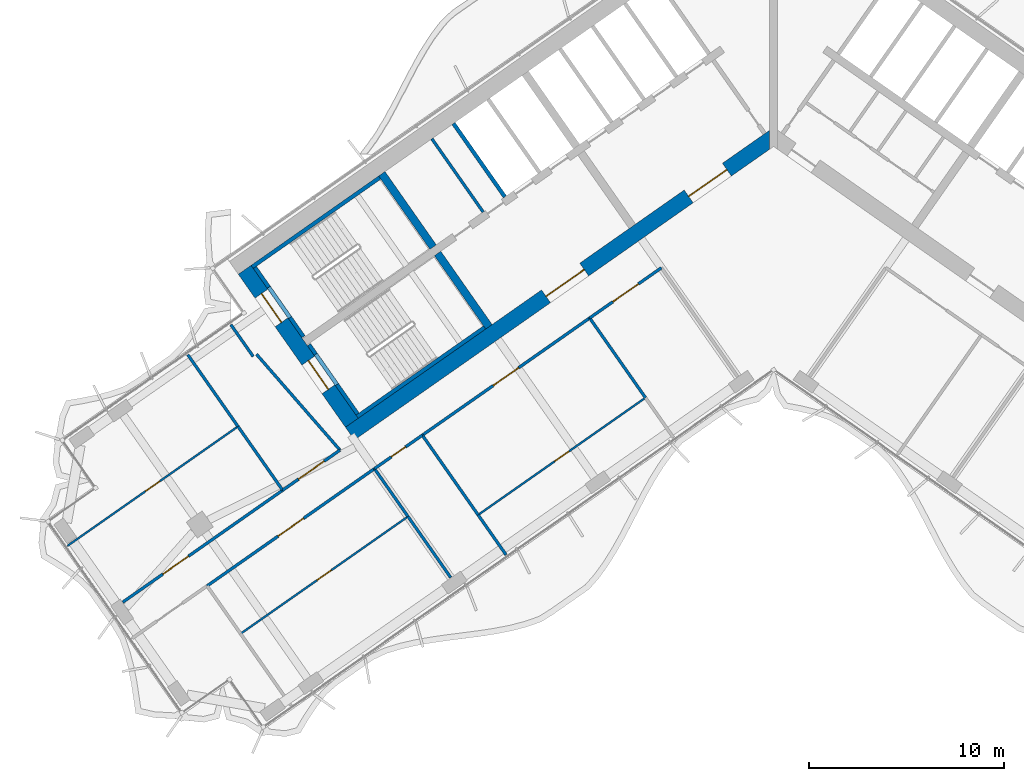
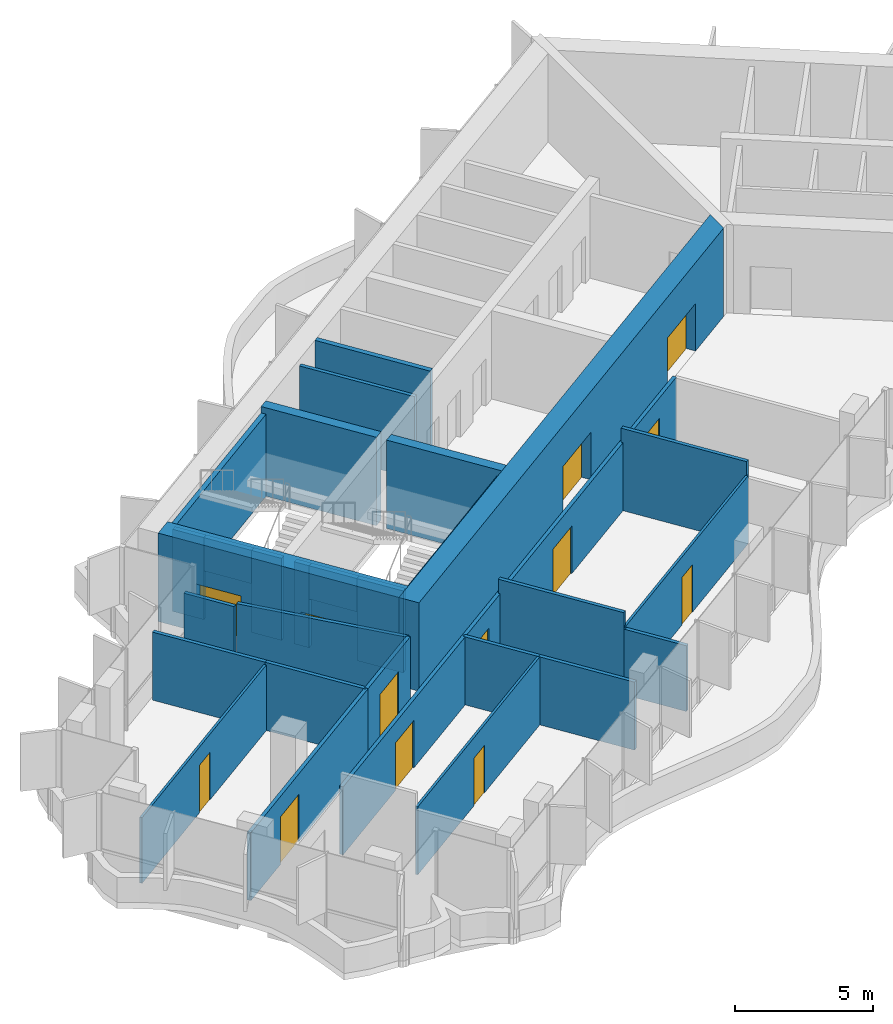
# One storey, part 14 of 23: 32 walls, 13 doors, 13 openings.
"""IFC4 building model written with IfcOpenShell, lengths in metres."""

from ifc_helpers import new_model, si_unit, direction, frame, frame_2d, origin, place, context, subcontext, project, spatial, polyline, rectangle, outline, extrude, material, layer, layer_set, type_object, element, fill, save


model = new_model("IFC4")

# Units and contexts
model_context = context("Model", 3, precision=1e-05, world=origin(), true_north=direction((0.0, 1.0)))
body_context = subcontext(model_context, "Body", "Model", "MODEL_VIEW")
ifc_project = project(units=[si_unit("LENGTHUNIT", "METRE"), si_unit("AREAUNIT", "SQUARE_METRE"), si_unit("VOLUMEUNIT", "CUBIC_METRE"), si_unit("PLANEANGLEUNIT", "RADIAN"), si_unit("MASSUNIT", "GRAM", prefix="KILO")], contexts=[model_context])

# Site, building, storey
site_placement = place(None, origin())
site = spatial("IfcSite", under=ifc_project, at=site_placement, CompositionType="ELEMENT")
building_placement = place(site_placement, origin())
building = spatial("IfcBuilding", under=site, at=building_placement, Name="Tel Ilan Convention Tower", CompositionType="ELEMENT")
storey_placement = place(building_placement, frame((0.0, 0.0, 186.60009765625)))
storey = spatial("IfcBuildingStorey", under=building, at=storey_placement, Name="L43", CompositionType="ELEMENT", Elevation=186.60009765625)

# Walls
ifc_material_1 = material(Name="Gypsum Plasterboard on Steel Stud", Category="steel")
ifc_layer_1 = layer(ifc_material_1, 0.14990234375)
ifc_layer_set_1 = layer_set([ifc_layer_1], Name="Core Room Partition Wall 150 mm EI 60")
wall_type_1 = type_object("IfcWallType", Name="Core Room Partition Wall 150 mm EI 60", PredefinedType="PARTITIONING", material=ifc_layer_set_1)
wall_1_placement = place(storey_placement, frame((-14.92578125, -4.59130859375, 0.0), z_axis=(0.0, 0.0, 1.0), x_axis=(-0.573576324356, 0.819152122709, 0.0)))
element("IfcWall", 1, at=wall_1_placement, inside=storey, type_object=wall_type_1, Name="L43 core wall bank-W2-split", PredefinedType="PARTITIONING", context=body_context, shape_type="SweptSolid", body=[
    extrude(rectangle(XDim=4.599853515625, YDim=0.14990234375, at=frame_2d((2.2998046875, 0.0))), origin(), (0.0, 0.0, 1.0), 3.619873046875),
])
ifc_material_2 = material(Name="Concrete C50/60", Category="concrete")
ifc_layer_2 = layer(ifc_material_2, 0.39990234375)
ifc_layer_set_2 = layer_set([ifc_layer_2], Name="Core Shear Wall 400 mm C50/60")
wall_type_2 = type_object("IfcWallType", Name="Core Shear Wall 400 mm C50/60", PredefinedType="SHEAR", material=ifc_layer_set_2)
wall_2_placement = place(storey_placement, frame((-14.6298828125, -10.48828125, 0.0), z_axis=(0.0, 0.0, 1.0), x_axis=(-0.573611936273, 0.819127185829, 0.0)))
element("IfcWall", 2, at=wall_2_placement, inside=storey, type_object=wall_type_2, Name="L43 core wall W-cross2-1", PredefinedType="SHEAR", context=body_context, shape_type="SweptSolid", body=[
    extrude(outline(polyline([(4.60009765625, 0.199951171875), (0.000244140625, 0.2001953125), (0.000244140625, -0.199951171875), (4.60009765625, -0.2001953125), (4.60009765625, 0.199951171875)])), origin(), (0.0, 0.0, 1.0), 3.89990234375),
])
wall_3_placement = place(storey_placement, frame((-17.497802734375, -6.392333984375, 0.0), z_axis=(0.0, 0.0, 1.0), x_axis=(-0.573611936273, 0.819127185829, 0.0)))
element("IfcWall", 3, at=wall_3_placement, inside=storey, type_object=wall_type_2, Name="L43 core wall W-cross2-2", PredefinedType="SHEAR", context=body_context, shape_type="SweptSolid", body=[
    extrude(outline(polyline([(4.599853515625, -0.2001953125), (4.599853515625, 0.199951171875), (0.0, 0.2001953125), (0.0, -0.199951171875), (4.599853515625, -0.2001953125)])), origin(), (0.0, 0.0, 1.0), 3.89990234375),
])

# Wall, openings, doors
ifc_material_3 = material(Name="Concrete C50/60", Category="concrete")
ifc_layer_3 = layer(ifc_material_3, 0.800048828125)
ifc_layer_set_3 = layer_set([ifc_layer_3], Name="Core Shear Wall 800 mm C50/60")
wall_type_3 = type_object("IfcWallType", Name="Core Shear Wall 800 mm C50/60", PredefinedType="SHEAR", material=ifc_layer_set_3)
wall_4_placement = place(storey_placement, frame((0.029296875, -0.7119140625, 0.0), z_axis=(0.0, 0.0, 1.0), x_axis=(-0.819151758019, -0.573576845187, 0.0)))
wall_4 = element("IfcWall", 4, at=wall_4_placement, inside=storey, type_object=wall_type_3, Name="L43 core wall W-front", PredefinedType="SHEAR", context=body_context, shape_type="SweptSolid", body=[
    extrude(outline(polyline([(26.61572265625, 0.39990234375), (0.56005859375, 0.39990234375), (-0.000244140625, -0.39990234375), (26.61572265625, -0.39990234375), (26.61572265625, 0.39990234375)])), origin(), (0.0, 0.0, 1.0), 3.89990234375),
])
opening_1_placement = place(wall_4_placement, frame((2.9658203125, 0.0, 0.0)))
opening_1 = element("IfcOpeningElement", 5, at=opening_1_placement, cuts=wall_4, Name="Opening CD3305", PredefinedType="OPENING", context=body_context, shape_type="SweptSolid", body=[
    extrude(rectangle(XDim=2.39990234375, YDim=2.10009765625, at=frame_2d((1.199951171875, 1.050048828125))), frame((0.0, 0.409912109375, 0.0), z_axis=(0.0, -1.0, 0.0), x_axis=(1.0, 0.0, 0.0)), (0.0, 0.0, 1.0), 0.820068359375),
])
opening_2_placement = place(wall_4_placement, frame((11.915771484375, 0.0, 0.0)))
opening_2 = element("IfcOpeningElement", 6, at=opening_2_placement, cuts=wall_4, Name="Opening CD3306", PredefinedType="OPENING", context=body_context, shape_type="SweptSolid", body=[
    extrude(rectangle(XDim=2.39990234375, YDim=2.10009765625, at=frame_2d((1.199951171875, 1.050048828125))), frame((0.0, 0.409912109375, 0.0), z_axis=(0.0, -1.0, 0.0), x_axis=(1.0, 0.0, 0.0)), (0.0, 0.0, 1.0), 0.820068359375),
])
ifc_material_4 = material(Name="Glazed Aluminium Door Leaf", Category="aluminium")
door_type_1 = type_object("IfcDoorType", Name="Lobby Opening Door 2400 x 2100 FD60S", OperationType="NOTDEFINED", PredefinedType="DOOR", material=ifc_material_4)
door_1_placement = place(opening_1_placement, origin())
door_1 = element("IfcDoor", 7, at=door_1_placement, inside=storey, type_object=door_type_1, Name="Lift Lobby LR1-LR4 opening", OperationType="DOUBLE_DOOR_SINGLE_SWING", OverallHeight=2.10009765625, OverallWidth=2.39990234375, PredefinedType="DOOR", context=body_context, shape_type="SweptSolid", body=[
    extrude(rectangle(XDim=2.39990234375, YDim=2.10009765625, at=frame_2d((1.199951171875, 1.050048828125))), frame((0.0, 0.02490234375, 0.0), z_axis=(0.0, -1.0, 0.0), x_axis=(1.0, 0.0, 0.0)), (0.0, 0.0, 1.0), 0.050048828125),
])
fill(opening_1, door_1)
door_2_placement = place(opening_2_placement, origin())
door_2 = element("IfcDoor", 8, at=door_2_placement, inside=storey, type_object=door_type_1, Name="Lift Lobby LR5-LR6 opening", OperationType="DOUBLE_DOOR_SINGLE_SWING", OverallHeight=2.10009765625, OverallWidth=2.39990234375, PredefinedType="DOOR", context=body_context, shape_type="SweptSolid", body=[
    extrude(rectangle(XDim=2.39990234375, YDim=2.10009765625, at=frame_2d((1.199951171875, 1.050048828125))), frame((0.0, 0.02490234375, 0.0), z_axis=(0.0, -1.0, 0.0), x_axis=(1.0, 0.0, 0.0)), (0.0, 0.0, 1.0), 0.050048828125),
])
fill(opening_2, door_2)

wall_5_placement = place(storey_placement, frame((-21.6748046875, -15.4208984375, 0.0), z_axis=(0.0, 0.0, 1.0), x_axis=(-0.573581815061, 0.819148278049, 0.0)))
wall_5 = element("IfcWall", 9, at=wall_5_placement, inside=storey, type_object=wall_type_3, Name="L43 core wall W-end", PredefinedType="SHEAR", context=body_context, shape_type="SweptSolid", body=[
    extrude(outline(polyline([(0.0, 0.39990234375), (0.0, -0.39990234375), (9.599853515625, -0.400146484375), (9.599853515625, 0.39990234375), (0.0, 0.39990234375)])), origin(), (0.0, 0.0, 1.0), 3.89990234375),
])
opening_3_placement = place(wall_5_placement, frame((6.300048828125, 0.0, 0.0)))
opening_3 = element("IfcOpeningElement", 10, at=opening_3_placement, cuts=wall_5, Name="Opening SD3301", PredefinedType="OPENING", context=body_context, shape_type="SweptSolid", body=[
    extrude(rectangle(XDim=1.800048828125, YDim=2.10009765625, at=frame_2d((0.89990234375, 1.050048828125))), frame((0.0, 0.409912109375, 0.0), z_axis=(0.0, -1.0, 0.0), x_axis=(1.0, 0.0, 0.0)), (0.0, 0.0, 1.0), 0.820068359375),
])
opening_4_placement = place(wall_5_placement, frame((2.10009765625, 0.0, 0.0)))
opening_4 = element("IfcOpeningElement", 11, at=opening_4_placement, cuts=wall_5, Name="Opening SD3302", PredefinedType="OPENING", context=body_context, shape_type="SweptSolid", body=[
    extrude(rectangle(XDim=1.800048828125, YDim=2.10009765625, at=frame_2d((0.89990234375, 1.050048828125))), frame((0.0, 0.409912109375, 0.0), z_axis=(0.0, -1.0, 0.0), x_axis=(1.0, 0.0, 0.0)), (0.0, 0.0, 1.0), 0.820068359375),
])
ifc_material_5 = material(Name="Galvanised Steel Door Leaf", Category="steel")
door_type_2 = type_object("IfcDoorType", Name="Stair Fire Door 1800 x 2100 FD60S", OperationType="NOTDEFINED", PredefinedType="DOOR", material=ifc_material_5)
door_3_placement = place(opening_3_placement, origin())
door_3 = element("IfcDoor", 12, at=door_3_placement, inside=storey, type_object=door_type_2, Name="Stair S1 door", OperationType="DOUBLE_DOOR_SINGLE_SWING", OverallHeight=2.10009765625, OverallWidth=1.800048828125, PredefinedType="DOOR", context=body_context, shape_type="SweptSolid", body=[
    extrude(rectangle(XDim=1.800048828125, YDim=2.10009765625, at=frame_2d((0.89990234375, 1.050048828125))), frame((0.0, 0.02490234375, 0.0), z_axis=(0.0, -1.0, 0.0), x_axis=(1.0, 0.0, 0.0)), (0.0, 0.0, 1.0), 0.050048828125),
])
fill(opening_3, door_3)
door_4_placement = place(opening_4_placement, origin())
door_4 = element("IfcDoor", 13, at=door_4_placement, inside=storey, type_object=door_type_2, Name="Stair S2 door", OperationType="DOUBLE_DOOR_SINGLE_SWING", OverallHeight=2.10009765625, OverallWidth=1.800048828125, PredefinedType="DOOR", context=body_context, shape_type="SweptSolid", body=[
    extrude(rectangle(XDim=1.800048828125, YDim=2.10009765625, at=frame_2d((0.89990234375, 1.050048828125))), frame((0.0, 0.02490234375, 0.0), z_axis=(0.0, -1.0, 0.0), x_axis=(1.0, 0.0, 0.0)), (0.0, 0.0, 1.0), 0.050048828125),
])
fill(opening_4, door_4)

# Wall, opening, door
ifc_material_6 = material(Name="Plasterboard on Steel Studs", Category="steel")
ifc_layer_4 = layer(ifc_material_6, 0.14990234375)
ifc_layer_set_4 = layer_set([ifc_layer_4], Name="Fire-rated Partition 150 EI 60")
wall_type_4 = type_object("IfcWallType", Name="Fire-rated Partition 150 EI 60", PredefinedType="PARTITIONING", material=ifc_layer_set_4)
wall_6_placement = place(storey_placement, frame((-25.23095703125, -18.888427734375, 0.0), z_axis=(0.0, 0.0, 1.0), x_axis=(0.819152236293, 0.573576162141, 0.0)))
wall_6 = element("IfcWall", 14, at=wall_6_placement, inside=storey, type_object=wall_type_4, Name="Partition 010", PredefinedType="PARTITIONING", context=body_context, shape_type="SweptSolid", body=[
    extrude(rectangle(XDim=3.598876953125, YDim=0.14990234375, at=frame_2d((1.79931640625, 0.0))), origin(), (0.0, 0.0, 1.0), 3.0),
])
opening_5_placement = place(wall_6_placement, frame((0.99951171875, 0.0, 0.0)))
opening_5 = element("IfcOpeningElement", 15, at=opening_5_placement, cuts=wall_6, Name="Opening L43-008", PredefinedType="OPENING", context=body_context, shape_type="SweptSolid", body=[
    extrude(rectangle(XDim=1.60009765625, YDim=2.10009765625, at=frame_2d((0.800048828125, 1.050048828125))), frame((0.0, 0.0849609375, 0.0), z_axis=(0.0, -1.0, 0.0), x_axis=(1.0, 0.0, 0.0)), (0.0, 0.0, 1.0), 0.169921875),
])
ifc_material_7 = material(Name="Timber Door Leaf in Steel Frame", Category="steel")
door_type_3 = type_object("IfcDoorType", Name="Tenant Suite Entrance Fire Door 1600x2100", OperationType="NOTDEFINED", PredefinedType="DOOR", material=ifc_material_7)
door_5_placement = place(opening_5_placement, origin())
door_5 = element("IfcDoor", 16, at=door_5_placement, inside=storey, type_object=door_type_3, Name="Door L43-008", OperationType="DOUBLE_DOOR_SINGLE_SWING", OverallHeight=2.10009765625, OverallWidth=1.60009765625, PredefinedType="DOOR", context=body_context, shape_type="SweptSolid", body=[
    extrude(rectangle(XDim=1.60009765625, YDim=2.10009765625, at=frame_2d((0.800048828125, 1.050048828125))), frame((0.0, 0.02490234375, 0.0), z_axis=(0.0, -1.0, 0.0), x_axis=(1.0, 0.0, 0.0)), (0.0, 0.0, 1.0), 0.050048828125),
])
fill(opening_5, door_5)

wall_7_placement = place(storey_placement, frame((-33.4453125, -24.640380859375, 0.0), z_axis=(0.0, 0.0, 1.0), x_axis=(0.819143874627, 0.57358810366, 0.0)))
wall_7 = element("IfcWall", 17, at=wall_7_placement, inside=storey, type_object=wall_type_4, Name="Partition 011", PredefinedType="PARTITIONING", context=body_context, shape_type="SweptSolid", body=[
    extrude(rectangle(XDim=10.03173828125, YDim=0.14990234375, at=frame_2d((5.015869140625, 0.0))), origin(), (0.0, 0.0, 1.0), 3.0),
])
opening_6_placement = place(wall_7_placement, frame((2.51611328125, 0.0, 0.0)))
opening_6 = element("IfcOpeningElement", 18, at=opening_6_placement, cuts=wall_7, Name="Opening L43-009", PredefinedType="OPENING", context=body_context, shape_type="SweptSolid", body=[
    extrude(rectangle(XDim=1.60009765625, YDim=2.10009765625, at=frame_2d((0.800048828125, 1.050048828125))), frame((0.0, 0.0849609375, 0.0), z_axis=(0.0, -1.0, 0.0), x_axis=(1.0, 0.0, 0.0)), (0.0, 0.0, 1.0), 0.169921875),
])
door_6_placement = place(opening_6_placement, origin())
door_6 = element("IfcDoor", 19, at=door_6_placement, inside=storey, type_object=door_type_3, Name="Door L43-009", OperationType="DOUBLE_DOOR_SINGLE_SWING", OverallHeight=2.10009765625, OverallWidth=1.60009765625, PredefinedType="DOOR", context=body_context, shape_type="SweptSolid", body=[
    extrude(rectangle(XDim=1.60009765625, YDim=2.10009765625, at=frame_2d((0.800048828125, 1.050048828125))), frame((0.0, 0.02490234375, 0.0), z_axis=(0.0, -1.0, 0.0), x_axis=(1.0, 0.0, 0.0)), (0.0, 0.0, 1.0), 0.050048828125),
])
fill(opening_6, door_6)

wall_8_placement = place(storey_placement, frame((-5.766357421875, -7.455810546875, 0.0), z_axis=(0.0, 0.0, 1.0), x_axis=(-0.819142740634, -0.573589723117, 0.0)))
wall_8 = element("IfcWall", 20, at=wall_8_placement, inside=storey, type_object=wall_type_4, Name="Partition 012", PredefinedType="PARTITIONING", context=body_context, shape_type="SweptSolid", body=[
    extrude(rectangle(XDim=4.501953125, YDim=0.14990234375, at=frame_2d((2.2509765625, 0.0))), origin(), (0.0, 0.0, 1.0), 3.0),
])
opening_7_placement = place(wall_8_placement, frame((1.450927734375, 0.0, 0.0)))
opening_7 = element("IfcOpeningElement", 21, at=opening_7_placement, cuts=wall_8, Name="Opening L43-001", PredefinedType="OPENING", context=body_context, shape_type="SweptSolid", body=[
    extrude(rectangle(XDim=1.60009765625, YDim=2.10009765625, at=frame_2d((0.800048828125, 1.050048828125))), frame((0.0, 0.0849609375, 0.0), z_axis=(0.0, -1.0, 0.0), x_axis=(1.0, 0.0, 0.0)), (0.0, 0.0, 1.0), 0.169921875),
])
door_7_placement = place(opening_7_placement, origin())
door_7 = element("IfcDoor", 22, at=door_7_placement, inside=storey, type_object=door_type_3, Name="Door L43-001", OperationType="DOUBLE_DOOR_SINGLE_SWING", OverallHeight=2.10009765625, OverallWidth=1.60009765625, PredefinedType="DOOR", context=body_context, shape_type="SweptSolid", body=[
    extrude(rectangle(XDim=1.60009765625, YDim=2.10009765625, at=frame_2d((0.800048828125, 1.050048828125))), frame((0.0, 0.02490234375, 0.0), z_axis=(0.0, -1.0, 0.0), x_axis=(1.0, 0.0, 0.0)), (0.0, 0.0, 1.0), 0.050048828125),
])
fill(opening_7, door_7)

wall_9_placement = place(storey_placement, frame((-9.450927734375, -10.035888671875, 0.0), z_axis=(0.0, 0.0, 1.0), x_axis=(-0.819164214721, -0.57355905478, 0.0)))
wall_9 = element("IfcWall", 23, at=wall_9_placement, inside=storey, type_object=wall_type_4, Name="Partition 013", PredefinedType="PARTITIONING", context=body_context, shape_type="SweptSolid", body=[
    extrude(rectangle(XDim=10.50390625, YDim=0.14990234375, at=frame_2d((5.251953125, 0.0))), origin(), (0.0, 0.0, 1.0), 3.0),
])
opening_8_placement = place(wall_9_placement, frame((4.451904296875, 0.0, 0.0)))
opening_8 = element("IfcOpeningElement", 24, at=opening_8_placement, cuts=wall_9, Name="Opening L43-002", PredefinedType="OPENING", context=body_context, shape_type="SweptSolid", body=[
    extrude(rectangle(XDim=1.60009765625, YDim=2.10009765625, at=frame_2d((0.800048828125, 1.050048828125))), frame((0.0, 0.0849609375, 0.0), z_axis=(0.0, -1.0, 0.0), x_axis=(1.0, 0.0, 0.0)), (0.0, 0.0, 1.0), 0.169921875),
])
door_8_placement = place(opening_8_placement, origin())
door_8 = element("IfcDoor", 25, at=door_8_placement, inside=storey, type_object=door_type_3, Name="Door L43-002", OperationType="DOUBLE_DOOR_SINGLE_SWING", OverallHeight=2.10009765625, OverallWidth=1.60009765625, PredefinedType="DOOR", context=body_context, shape_type="SweptSolid", body=[
    extrude(rectangle(XDim=1.60009765625, YDim=2.10009765625, at=frame_2d((0.800048828125, 1.050048828125))), frame((0.0, 0.02490234375, 0.0), z_axis=(0.0, -1.0, 0.0), x_axis=(1.0, 0.0, 0.0)), (0.0, 0.0, 1.0), 0.050048828125),
])
fill(opening_8, door_8)

wall_10_placement = place(storey_placement, frame((-18.052001953125, -16.058349609375, 0.0), z_axis=(0.0, 0.0, 1.0), x_axis=(-0.819128818764, -0.573609604409, 0.0)))
wall_10 = element("IfcWall", 26, at=wall_10_placement, inside=storey, type_object=wall_type_4, Name="Partition 014", PredefinedType="PARTITIONING", context=body_context, shape_type="SweptSolid", body=[
    extrude(rectangle(XDim=3.004150390625, YDim=0.14990234375, at=frame_2d((1.501953125, 0.0))), origin(), (0.0, 0.0, 1.0), 3.0),
])
opening_9_placement = place(wall_10_placement, frame((1.052001953125, 0.0, 0.0)))
opening_9 = element("IfcOpeningElement", 27, at=opening_9_placement, cuts=wall_10, Name="Opening L43-004", PredefinedType="OPENING", context=body_context, shape_type="SweptSolid", body=[
    extrude(rectangle(XDim=0.89990234375, YDim=2.10009765625, at=frame_2d((0.449951171875, 1.050048828125))), frame((0.0, 0.0849609375, 0.0), z_axis=(0.0, -1.0, 0.0), x_axis=(1.0, 0.0, 0.0)), (0.0, 0.0, 1.0), 0.169921875),
])
ifc_material_8 = material(Name="Timber Door Leaf in Steel Frame", Category="steel")
door_type_4 = type_object("IfcDoorType", Name="Room Fire Door 900x2100", OperationType="NOTDEFINED", PredefinedType="DOOR", material=ifc_material_8)
door_9_placement = place(opening_9_placement, origin())
door_9 = element("IfcDoor", 28, at=door_9_placement, inside=storey, type_object=door_type_4, Name="Door L43-004", OperationType="SINGLE_SWING_LEFT", OverallHeight=2.10009765625, OverallWidth=0.89990234375, PredefinedType="DOOR", context=body_context, shape_type="SweptSolid", body=[
    extrude(rectangle(XDim=0.89990234375, YDim=2.10009765625, at=frame_2d((0.449951171875, 1.050048828125))), frame((0.0, 0.02490234375, 0.0), z_axis=(0.0, -1.0, 0.0), x_axis=(1.0, 0.0, 0.0)), (0.0, 0.0, 1.0), 0.050048828125),
])
fill(opening_9, door_9)

wall_11_placement = place(storey_placement, frame((-20.509521484375, -17.779052734375, 0.0), z_axis=(0.0, 0.0, 1.0), x_axis=(-0.819145647741, -0.57358557146, 0.0)))
wall_11 = element("IfcWall", 29, at=wall_11_placement, inside=storey, type_object=wall_type_4, Name="Partition 015", PredefinedType="PARTITIONING", context=body_context, shape_type="SweptSolid", body=[
    extrude(rectangle(XDim=10.50390625, YDim=0.14990234375, at=frame_2d((5.251953125, 0.0))), origin(), (0.0, 0.0, 1.0), 3.0),
])
opening_10_placement = place(wall_11_placement, frame((4.451904296875, 0.0, 0.0)))
opening_10 = element("IfcOpeningElement", 30, at=opening_10_placement, cuts=wall_11, Name="Opening L43-005", PredefinedType="OPENING", context=body_context, shape_type="SweptSolid", body=[
    extrude(rectangle(XDim=1.60009765625, YDim=2.10009765625, at=frame_2d((0.800048828125, 1.050048828125))), frame((0.0, 0.0849609375, 0.0), z_axis=(0.0, -1.0, 0.0), x_axis=(1.0, 0.0, 0.0)), (0.0, 0.0, 1.0), 0.169921875),
])
door_10_placement = place(opening_10_placement, origin())
door_10 = element("IfcDoor", 31, at=door_10_placement, inside=storey, type_object=door_type_3, Name="Door L43-005", OperationType="DOUBLE_DOOR_SINGLE_SWING", OverallHeight=2.10009765625, OverallWidth=1.60009765625, PredefinedType="DOOR", context=body_context, shape_type="SweptSolid", body=[
    extrude(rectangle(XDim=1.60009765625, YDim=2.10009765625, at=frame_2d((0.800048828125, 1.050048828125))), frame((0.0, 0.02490234375, 0.0), z_axis=(0.0, -1.0, 0.0), x_axis=(1.0, 0.0, 0.0)), (0.0, 0.0, 1.0), 0.050048828125),
])
fill(opening_10, door_10)

# Walls
wall_12_placement = place(storey_placement, frame((-26.74609375, -12.013671875, 0.0), z_axis=(0.0, 0.0, 1.0), x_axis=(-0.573568836472, 0.819157365729, 0.0)))
element("IfcWall", 32, at=wall_12_placement, inside=storey, type_object=wall_type_4, Name="Partition 030", PredefinedType="PARTITIONING", context=body_context, shape_type="SweptSolid", body=[
    extrude(rectangle(XDim=2.000244140625, YDim=0.14990234375, at=frame_2d((1.0, 0.0))), origin(), (0.0, 0.0, 1.0), 3.0),
])
wall_13_placement = place(storey_placement, frame((-22.28369140625, -16.826416015625, 0.0), z_axis=(0.0, 0.0, 1.0), x_axis=(-0.656758142177, 0.754101281449, 0.0)))
element("IfcWall", 33, at=wall_13_placement, inside=storey, type_object=wall_type_4, Name="Partition 031", PredefinedType="PARTITIONING", context=body_context, shape_type="SweptSolid", body=[
    extrude(rectangle(XDim=6.53857421875, YDim=0.14990234375, at=frame_2d((3.269287109375, 0.0))), origin(), (0.0, 0.0, 1.0), 3.0),
])
wall_14_placement = place(storey_placement, frame((-27.5234375, -15.611083984375, 0.0), z_axis=(0.0, 0.0, 1.0), x_axis=(-0.573556991349, 0.819165659482, 0.0)))
element("IfcWall", 34, at=wall_14_placement, inside=storey, type_object=wall_type_4, Name="Partition 032", PredefinedType="PARTITIONING", context=body_context, shape_type="SweptSolid", body=[
    extrude(rectangle(XDim=4.5009765625, YDim=0.14990234375, at=frame_2d((2.25048828125, 0.0))), origin(), (0.0, 0.0, 1.0), 3.0),
])
wall_15_placement = place(storey_placement, frame((-25.229736328125, -18.88671875, 0.0), z_axis=(0.0, 0.0, 1.0), x_axis=(-0.573589265117, 0.819143061341, 0.0)))
element("IfcWall", 35, at=wall_15_placement, inside=storey, type_object=wall_type_4, Name="Partition 033", PredefinedType="PARTITIONING", context=body_context, shape_type="SweptSolid", body=[
    extrude(rectangle(XDim=4.001953125, YDim=0.14990234375, at=frame_2d((2.0009765625, 0.0))), origin(), (0.0, 0.0, 1.0), 3.0),
])
wall_16_placement = place(storey_placement, frame((-6.58349609375, -14.13427734375, 0.0), z_axis=(0.0, 0.0, 1.0), x_axis=(-0.573557338351, 0.819165416521, 0.0)))
element("IfcWall", 36, at=wall_16_placement, inside=storey, type_object=wall_type_4, Name="Partition 036", PredefinedType="PARTITIONING", context=body_context, shape_type="SweptSolid", body=[
    extrude(rectangle(XDim=5.001953125, YDim=0.14990234375, at=frame_2d((2.5009765625, 0.0))), origin(), (0.0, 0.0, 1.0), 3.619873046875),
])
wall_17_placement = place(storey_placement, frame((-13.751708984375, -22.203125, 0.0), z_axis=(0.0, 0.0, 1.0), x_axis=(-0.573626239584, 0.819117169433, 0.0)))
element("IfcWall", 37, at=wall_17_placement, inside=storey, type_object=wall_type_4, Name="Partition 038", PredefinedType="PARTITIONING", context=body_context, shape_type="SweptSolid", body=[
    extrude(rectangle(XDim=2.499267578125, YDim=0.14990234375, at=frame_2d((1.24951171875, 0.0))), origin(), (0.0, 0.0, 1.0), 2.89990234375),
])
wall_18_placement = place(storey_placement, frame((-15.185791015625, -20.1552734375, 0.0), z_axis=(0.0, 0.0, 1.0), x_axis=(-0.573586866468, 0.819144740944, 0.0)))
element("IfcWall", 38, at=wall_18_placement, inside=storey, type_object=wall_type_4, Name="Partition 039", PredefinedType="PARTITIONING", context=body_context, shape_type="SweptSolid", body=[
    extrude(rectangle(XDim=5.0, YDim=0.14990234375, at=frame_2d((2.5, 0.0))), origin(), (0.0, 0.0, 1.0), 3.619873046875),
])
wall_19_placement = place(storey_placement, frame((-16.593505859375, -23.375, 0.0), z_axis=(0.0, 0.0, 1.0), x_axis=(-0.57359919792, 0.819136105995, 0.0)))
element("IfcWall", 39, at=wall_19_placement, inside=storey, type_object=wall_type_4, Name="Partition 040", PredefinedType="PARTITIONING", context=body_context, shape_type="SweptSolid", body=[
    extrude(rectangle(XDim=3.8310546875, YDim=0.14990234375, at=frame_2d((1.91552734375, 0.0))), origin(), (0.0, 0.0, 1.0), 3.0),
])
wall_20_placement = place(storey_placement, frame((-18.789306640625, -20.2392578125, 0.0), z_axis=(0.0, 0.0, 1.0), x_axis=(-0.573549676934, 0.819170780783, 0.0)))
element("IfcWall", 40, at=wall_20_placement, inside=storey, type_object=wall_type_4, Name="Partition 041", PredefinedType="PARTITIONING", context=body_context, shape_type="SweptSolid", body=[
    extrude(rectangle(XDim=3.001708984375, YDim=0.14990234375, at=frame_2d((1.5009765625, 0.0))), origin(), (0.0, 0.0, 1.0), 3.0),
])
ifc_material_9 = material(Name="Concrete C30/37", Category="concrete")
ifc_layer_5 = layer(ifc_material_9, 0.199951171875)
ifc_layer_set_5 = layer_set([ifc_layer_5], Name="Lift Shaft Wall 200 mm C30/37")
wall_type_5 = type_object("IfcWallType", Name="Lift Shaft Wall 200 mm C30/37", PredefinedType="SOLIDWALL", material=ifc_layer_set_5)
wall_21_placement = place(storey_placement, frame((-13.811767578125, -3.811279296875, 0.0), z_axis=(0.0, 0.0, 1.0), x_axis=(-0.573576324356, 0.819152122709, 0.0)))
element("IfcWall", 41, at=wall_21_placement, inside=storey, type_object=wall_type_5, Name="L43 core wall bank-W2-p1", PredefinedType="SOLIDWALL", context=body_context, shape_type="SweptSolid", body=[
    extrude(rectangle(XDim=4.599853515625, YDim=0.199951171875, at=frame_2d((2.2998046875, 0.0))), origin(), (0.0, 0.0, 1.0), 3.89990234375),
])

# Wall, opening, door
ifc_material_10 = material(Name="Plasterboard on Steel Studs", Category="steel")
ifc_layer_6 = layer(ifc_material_10, 0.10009765625)
ifc_layer_set_6 = layer_set([ifc_layer_6], Name="Plasterboard Partition 100")
wall_type_6 = type_object("IfcWallType", Name="Plasterboard Partition 100", PredefinedType="PARTITIONING", material=ifc_layer_set_6)
wall_22_placement = place(storey_placement, frame((-36.28955078125, -21.74658203125, 0.0), z_axis=(0.0, 0.0, 1.0), x_axis=(0.819153661249, 0.573574127085, 0.0)))
wall_22 = element("IfcWall", 42, at=wall_22_placement, inside=storey, type_object=wall_type_6, Name="Partition 034", PredefinedType="PARTITIONING", context=body_context, shape_type="SweptSolid", body=[
    extrude(rectangle(XDim=10.699951171875, YDim=0.10009765625, at=frame_2d((5.35009765625, 0.0))), origin(), (0.0, 0.0, 1.0), 2.89990234375),
])
opening_11_placement = place(wall_22_placement, frame((4.89990234375, 0.0, 0.0)))
opening_11 = element("IfcOpeningElement", 43, at=opening_11_placement, cuts=wall_22, Name="Opening L43-010", PredefinedType="OPENING", context=body_context, shape_type="SweptSolid", body=[
    extrude(rectangle(XDim=0.89990234375, YDim=2.10009765625, at=frame_2d((0.449951171875, 1.050048828125))), frame((0.0, 0.06005859375, 0.0), z_axis=(0.0, -1.0, 0.0), x_axis=(1.0, 0.0, 0.0)), (0.0, 0.0, 1.0), 0.1201171875),
])
ifc_material_11 = material(Name="Timber Door Leaf in Steel Frame", Category="steel")
door_type_5 = type_object("IfcDoorType", Name="Room Timber Door 900x2100", OperationType="NOTDEFINED", PredefinedType="DOOR", material=ifc_material_11)
door_11_placement = place(opening_11_placement, origin())
door_11 = element("IfcDoor", 44, at=door_11_placement, inside=storey, type_object=door_type_5, Name="Door L43-010", OperationType="SINGLE_SWING_RIGHT", OverallHeight=2.10009765625, OverallWidth=0.89990234375, PredefinedType="DOOR", context=body_context, shape_type="SweptSolid", body=[
    extrude(rectangle(XDim=0.89990234375, YDim=2.10009765625, at=frame_2d((0.449951171875, 1.050048828125))), frame((0.0, 0.02490234375, 0.0), z_axis=(0.0, -1.0, 0.0), x_axis=(1.0, 0.0, 0.0)), (0.0, 0.0, 1.0), 0.050048828125),
])
fill(opening_11, door_11)

wall_23_placement = place(storey_placement, frame((-6.583984375, -14.133544921875, 0.0), z_axis=(0.0, 0.0, 1.0), x_axis=(-0.819163097304, -0.573560650686, 0.0)))
wall_23 = element("IfcWall", 45, at=wall_23_placement, inside=storey, type_object=wall_type_6, Name="Partition 037", PredefinedType="PARTITIONING", context=body_context, shape_type="SweptSolid", body=[
    extrude(rectangle(XDim=10.500244140625, YDim=0.10009765625, at=frame_2d((5.25, 0.0))), origin(), (0.0, 0.0, 1.0), 3.0),
])
opening_12_placement = place(wall_23_placement, frame((4.800048828125, 0.0, 0.0)))
opening_12 = element("IfcOpeningElement", 46, at=opening_12_placement, cuts=wall_23, Name="Opening L43-003", PredefinedType="OPENING", context=body_context, shape_type="SweptSolid", body=[
    extrude(rectangle(XDim=0.89990234375, YDim=2.10009765625, at=frame_2d((0.449951171875, 1.050048828125))), frame((0.0, 0.06005859375, 0.0), z_axis=(0.0, -1.0, 0.0), x_axis=(1.0, 0.0, 0.0)), (0.0, 0.0, 1.0), 0.1201171875),
])
door_12_placement = place(opening_12_placement, origin())
door_12 = element("IfcDoor", 47, at=door_12_placement, inside=storey, type_object=door_type_5, Name="Door L43-003", OperationType="SINGLE_SWING_RIGHT", OverallHeight=2.10009765625, OverallWidth=0.89990234375, PredefinedType="DOOR", context=body_context, shape_type="SweptSolid", body=[
    extrude(rectangle(XDim=0.89990234375, YDim=2.10009765625, at=frame_2d((0.449951171875, 1.050048828125))), frame((0.0, 0.02490234375, 0.0), z_axis=(0.0, -1.0, 0.0), x_axis=(1.0, 0.0, 0.0)), (0.0, 0.0, 1.0), 0.050048828125),
])
fill(opening_12, door_12)

wall_24_placement = place(storey_placement, frame((-18.789794921875, -20.238525390625, 0.0), z_axis=(0.0, 0.0, 1.0), x_axis=(-0.819155448096, -0.573571575181, 0.0)))
wall_24 = element("IfcWall", 48, at=wall_24_placement, inside=storey, type_object=wall_type_6, Name="Partition 042", PredefinedType="PARTITIONING", context=body_context, shape_type="SweptSolid", body=[
    extrude(rectangle(XDim=10.5, YDim=0.10009765625, at=frame_2d((5.25, 0.0))), origin(), (0.0, 0.0, 1.0), 3.0),
])
opening_13_placement = place(wall_24_placement, frame((4.800048828125, 0.0, 0.0)))
opening_13 = element("IfcOpeningElement", 49, at=opening_13_placement, cuts=wall_24, Name="Opening L43-006", PredefinedType="OPENING", context=body_context, shape_type="SweptSolid", body=[
    extrude(rectangle(XDim=0.89990234375, YDim=2.10009765625, at=frame_2d((0.449951171875, 1.050048828125))), frame((0.0, 0.06005859375, 0.0), z_axis=(0.0, -1.0, 0.0), x_axis=(1.0, 0.0, 0.0)), (0.0, 0.0, 1.0), 0.1201171875),
])
door_13_placement = place(opening_13_placement, origin())
door_13 = element("IfcDoor", 50, at=door_13_placement, inside=storey, type_object=door_type_5, Name="Door L43-006", OperationType="SINGLE_SWING_LEFT", OverallHeight=2.10009765625, OverallWidth=0.89990234375, PredefinedType="DOOR", context=body_context, shape_type="SweptSolid", body=[
    extrude(rectangle(XDim=0.89990234375, YDim=2.10009765625, at=frame_2d((0.449951171875, 1.050048828125))), frame((0.0, 0.02490234375, 0.0), z_axis=(0.0, -1.0, 0.0), x_axis=(1.0, 0.0, 0.0)), (0.0, 0.0, 1.0), 0.050048828125),
])
fill(opening_13, door_13)

# Walls
ifc_material_12 = material(Name="Concrete C30/37", Category="concrete")
ifc_layer_7 = layer(ifc_material_12, 0.199951171875)
ifc_layer_set_7 = layer_set([ifc_layer_7], Name="Stair and Shaft Lining Wall 200 mm C30/37")
wall_type_7 = type_object("IfcWallType", Name="Stair and Shaft Lining Wall 200 mm C30/37", PredefinedType="SOLIDWALL", material=ifc_layer_set_7)
wall_25_placement = place(storey_placement, frame((-20.242919921875, -2.821044921875, 0.0), z_axis=(0.0, 0.0, 1.0), x_axis=(-0.819141584393, -0.57359137434, 0.0)))
element("IfcWall", 51, at=wall_25_placement, inside=storey, type_object=wall_type_7, Name="L43 core wall lining-S1-t1", PredefinedType="SOLIDWALL", context=body_context, shape_type="SweptSolid", body=[
    extrude(rectangle(XDim=7.999755859375, YDim=0.199951171875, at=frame_2d((4.0, 0.0))), origin(), (0.0, 0.0, 1.0), 3.619873046875),
])
wall_26_placement = place(storey_placement, frame((-24.16162109375, -10.99755859375, 0.0), z_axis=(0.0, 0.0, 1.0), x_axis=(-0.573612502218, 0.819126789514, 0.0)))
element("IfcWall", 52, at=wall_26_placement, inside=storey, type_object=wall_type_7, Name="L43 core wall lining-S1-u1-0", PredefinedType="SOLIDWALL", context=body_context, shape_type="SweptSolid", body=[
    extrude(rectangle(XDim=1.2001953125, YDim=0.199951171875, at=frame_2d((0.60009765625, 0.0))), origin(), (0.0, 0.0, 1.0), 3.619873046875),
])
wall_27_placement = place(storey_placement, frame((-25.939697265625, -8.4580078125, 0.0), z_axis=(0.0, 0.0, 1.0), x_axis=(-0.573619628835, 0.819121798889, 0.0)))
element("IfcWall", 53, at=wall_27_placement, inside=storey, type_object=wall_type_7, Name="L43 core wall lining-S1-u1-1", PredefinedType="SOLIDWALL", context=body_context, shape_type="SweptSolid", body=[
    extrude(rectangle(XDim=1.25, YDim=0.199951171875, at=frame_2d((0.625, 0.0))), origin(), (0.0, 0.0, 1.0), 3.619873046875),
])
wall_28_placement = place(storey_placement, frame((-24.85009765625, -10.014404296875, 2.14990234375), z_axis=(0.0, 0.0, 1.0), x_axis=(-0.573505465124, 0.819201734296, 0.0)))
element("IfcWall", 54, at=wall_28_placement, inside=storey, type_object=wall_type_7, Name="L43 core wall lining-S1-u1-lintel", PredefinedType="SOLIDWALL", context=body_context, shape_type="SweptSolid", body=[
    extrude(rectangle(XDim=1.89990234375, YDim=0.199951171875, at=frame_2d((0.949951171875, 0.0))), origin(), (0.0, 0.0, 1.0), 1.469970703125),
])
wall_29_placement = place(storey_placement, frame((-14.851318359375, -10.52099609375, 0.0), z_axis=(0.0, 0.0, 1.0), x_axis=(-0.819141584393, -0.57359137434, 0.0)))
element("IfcWall", 55, at=wall_29_placement, inside=storey, type_object=wall_type_7, Name="L43 core wall lining-S2-t0", PredefinedType="SOLIDWALL", context=body_context, shape_type="SweptSolid", body=[
    extrude(rectangle(XDim=7.999755859375, YDim=0.199951171875, at=frame_2d((4.0, 0.0))), origin(), (0.0, 0.0, 1.0), 3.619873046875),
])
wall_30_placement = place(storey_placement, frame((-21.3798828125, -14.97021484375, 0.0), z_axis=(0.0, 0.0, 1.0), x_axis=(-0.573559770908, 0.819163713305, 0.0)))
element("IfcWall", 56, at=wall_30_placement, inside=storey, type_object=wall_type_7, Name="L43 core wall lining-S2-u1-0", PredefinedType="SOLIDWALL", context=body_context, shape_type="SweptSolid", body=[
    extrude(rectangle(XDim=1.849853515625, YDim=0.199951171875, at=frame_2d((0.9248046875, 0.0))), origin(), (0.0, 0.0, 1.0), 3.619873046875),
])
wall_31_placement = place(storey_placement, frame((-23.53076171875, -11.8984375, 0.0), z_axis=(0.0, 0.0, 1.0), x_axis=(-0.573708088123, 0.819059844958, 0.0)))
element("IfcWall", 57, at=wall_31_placement, inside=storey, type_object=wall_type_7, Name="L43 core wall lining-S2-u1-1", PredefinedType="SOLIDWALL", context=body_context, shape_type="SweptSolid", body=[
    extrude(rectangle(XDim=0.60009765625, YDim=0.199951171875, at=frame_2d((0.300048828125, 0.0))), origin(), (0.0, 0.0, 1.0), 3.619873046875),
])
wall_32_placement = place(storey_placement, frame((-22.44091796875, -13.454833984375, 2.14990234375), z_axis=(0.0, 0.0, 1.0), x_axis=(-0.573591692345, 0.819141361715, 0.0)))
element("IfcWall", 58, at=wall_32_placement, inside=storey, type_object=wall_type_7, Name="L43 core wall lining-S2-u1-lintel", PredefinedType="SOLIDWALL", context=body_context, shape_type="SweptSolid", body=[
    extrude(rectangle(XDim=1.900146484375, YDim=0.199951171875, at=frame_2d((0.9501953125, 0.0))), origin(), (0.0, 0.0, 1.0), 1.469970703125),
])

save(model, "model.ifc")
